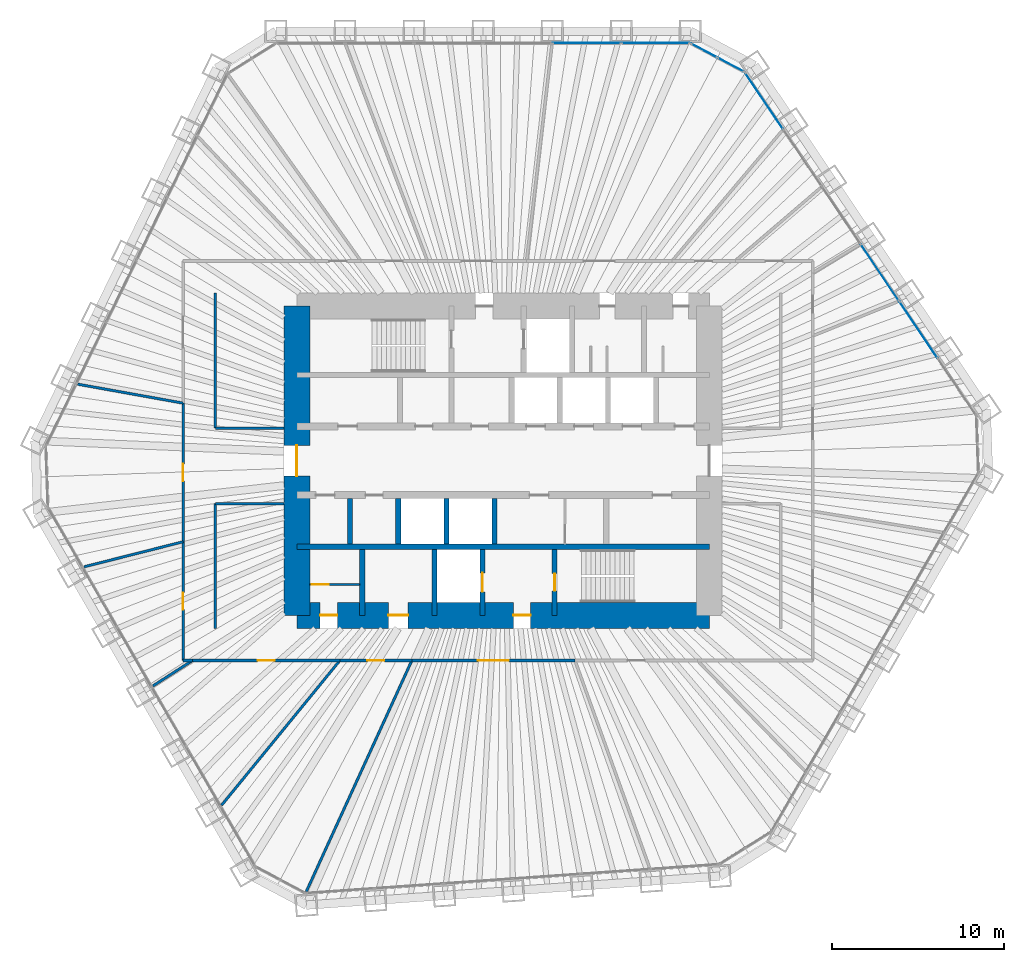
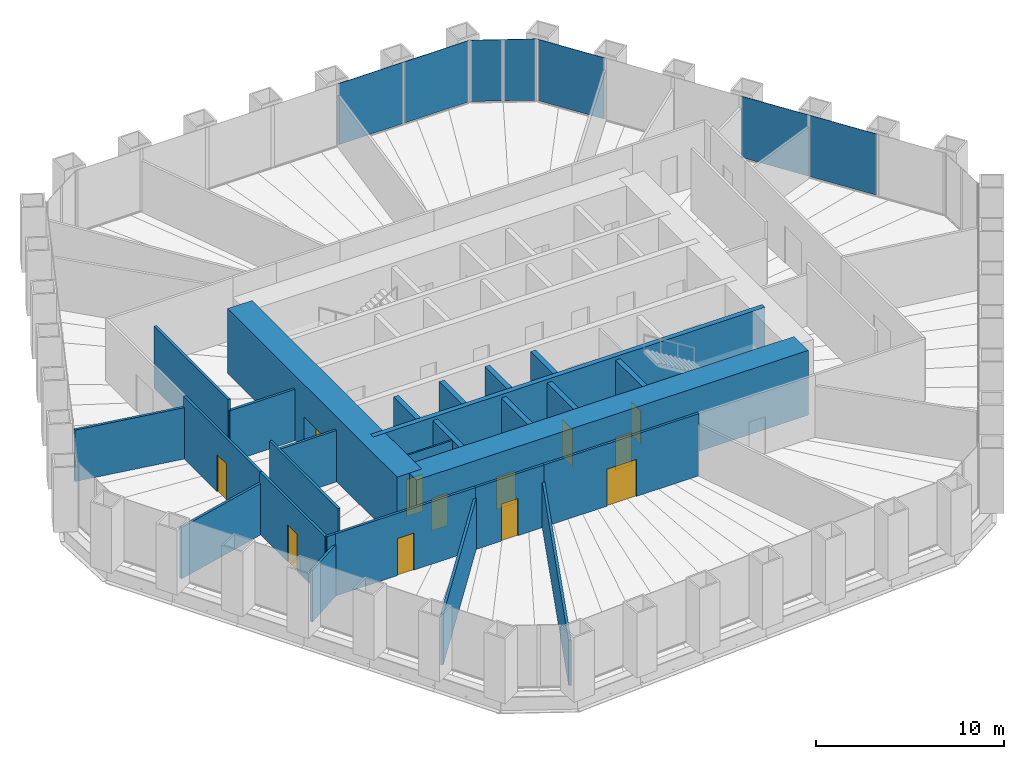
# One storey, part 10 of 13: 27 walls, 12 doors, 7 plates, 12 openings, 3 elements without a shape of their own.
"""IFC4 building model written with IfcOpenShell, lengths in metres."""

from ifc_helpers import new_model, si_unit, direction, frame, frame_2d, origin, origin_2d, place, context, subcontext, project, spatial, rectangle, extrude, material, layer, layer_set, type_object, element, fill, aggregate, save


model = new_model("IFC4")

# Units and contexts
model_context = context("Model", 3, precision=1e-05, world=origin(), true_north=direction((0.0, 1.0)))
body_context = subcontext(model_context, "Body", "Model", "MODEL_VIEW")
ifc_project = project(units=[si_unit("LENGTHUNIT", "METRE"), si_unit("AREAUNIT", "SQUARE_METRE"), si_unit("VOLUMEUNIT", "CUBIC_METRE"), si_unit("PLANEANGLEUNIT", "RADIAN"), si_unit("MASSUNIT", "GRAM", prefix="KILO")], contexts=[model_context])

# Site, building, storey
site_placement = place(None, origin())
site = spatial("IfcSite", under=ifc_project, at=site_placement, CompositionType="ELEMENT")
building_placement = place(site_placement, origin())
building = spatial("IfcBuilding", under=site, at=building_placement, Name="Qingtian Harvest Tower", CompositionType="ELEMENT")
storey_placement = place(building_placement, frame((0.0, 0.0, 153.39990234375)))
storey = spatial("IfcBuildingStorey", under=building, at=storey_placement, Name="L32", CompositionType="ELEMENT", Elevation=153.39990234375)

# Curtain wall, plates
ifc_material_1 = material(Name="Bronze-anodised aluminium curtain wall", Category="aluminium")
curtain_wall_type = type_object("IfcCurtainWallType", Name="Curtain wall CW4 office", PredefinedType="USERDEFINED", material=ifc_material_1)
curtain_wall_1_placement = place(storey_placement, origin())
curtain_wall_1 = element("IfcCurtainWall", 1, at=curtain_wall_1_placement, inside=storey, type_object=curtain_wall_type, Name="Curtain wall CW4 L32 N0-5", ObjectType="RECESSED CURTAIN WALL", PredefinedType="USERDEFINED")
ifc_material_2 = material(Name="Bronze-tinted laminated insulating glass", Category="glass")
ifc_layer_1 = layer(ifc_material_2, 0.030029296875)
ifc_layer_set_1 = layer_set([ifc_layer_1], Name="Glazed panel CWP tinted IGU")
plate_type = type_object("IfcPlateType", Name="Glazed panel CWP tinted IGU", PredefinedType="CURTAIN_PANEL", material=ifc_layer_set_1)
plate_1_placement = place(storey_placement, frame((4.864013671875, 24.300048828125, 0.06494140625), z_axis=(0.0, 0.0, 1.0), x_axis=(1.0, 0.0, 0.0)))
plate_1 = element("IfcPlate", 2, at=plate_1_placement, type_object=plate_type, Name="CW4 panel 5.1", PredefinedType="CURTAIN_PANEL", context=body_context, shape_type="SweptSolid", body=[
    extrude(rectangle(XDim=3.9541015625, YDim=0.030029296875, at=origin_2d()), origin(), (0.0, 0.0, 1.0), 3.965087890625),
])
plate_2_placement = place(storey_placement, frame((8.866943359375, 24.300048828125, 0.06494140625), z_axis=(0.0, 0.0, 1.0), x_axis=(1.0, 0.0, 0.0)))
plate_2 = element("IfcPlate", 3, at=plate_2_placement, type_object=plate_type, Name="CW4 panel 6.1", PredefinedType="CURTAIN_PANEL", context=body_context, shape_type="SweptSolid", body=[
    extrude(rectangle(XDim=3.921630859375, YDim=0.030029296875, at=origin_2d()), origin(), (0.0, 0.0, 1.0), 3.965087890625),
])
aggregate(curtain_wall_1, [plate_1, plate_2])

curtain_wall_2_placement = place(storey_placement, origin())
curtain_wall_2 = element("IfcCurtainWall", 4, at=curtain_wall_2_placement, inside=storey, type_object=curtain_wall_type, Name="Curtain wall CW4 L32 NC", ObjectType="RECESSED CURTAIN WALL", PredefinedType="USERDEFINED")
plate_3_placement = place(storey_placement, frame((11.697509765625, 23.8720703125, 0.06494140625), z_axis=(0.0, 0.0, 1.0), x_axis=(0.882947592859, -0.469471562786, 0.0)))
plate_3 = element("IfcPlate", 5, at=plate_3_placement, type_object=plate_type, Name="CW4 panel 1.1", PredefinedType="CURTAIN_PANEL", context=body_context, shape_type="SweptSolid", body=[
    extrude(rectangle(XDim=1.69287109375, YDim=0.030029296875, at=origin_2d()), origin(), (0.0, 0.0, 1.0), 3.965087890625),
])
plate_4_placement = place(storey_placement, frame((13.249755859375, 23.046875, 0.06494140625), z_axis=(0.0, 0.0, 1.0), x_axis=(0.882947592859, -0.469471562786, 0.0)))
plate_4 = element("IfcPlate", 6, at=plate_4_placement, type_object=plate_type, Name="CW4 panel 2.1", PredefinedType="CURTAIN_PANEL", context=body_context, shape_type="SweptSolid", body=[
    extrude(rectangle(XDim=1.69287109375, YDim=0.030029296875, at=origin_2d()), origin(), (0.0, 0.0, 1.0), 3.965087890625),
])
aggregate(curtain_wall_2, [plate_3, plate_4])

curtain_wall_3_placement = place(storey_placement, origin())
curtain_wall_3 = element("IfcCurtainWall", 7, at=curtain_wall_3_placement, inside=storey, type_object=curtain_wall_type, Name="Curtain wall CW4 L32 NE0-5", ObjectType="RECESSED CURTAIN WALL", PredefinedType="USERDEFINED")
plate_5_placement = place(storey_placement, frame((15.187255859375, 20.939453125, 0.06494140625), z_axis=(0.0, 0.0, 1.0), x_axis=(0.559192903471, -0.829037572555, 0.0)))
plate_5 = element("IfcPlate", 8, at=plate_5_placement, type_object=plate_type, Name="CW4 panel 1.1", PredefinedType="CURTAIN_PANEL", context=body_context, shape_type="SweptSolid", body=[
    extrude(rectangle(XDim=3.921630859375, YDim=0.030029296875, at=origin_2d()), origin(), (0.0, 0.0, 1.0), 3.965087890625),
])
plate_6_placement = place(storey_placement, frame((21.92041015625, 10.95703125, 0.06494140625), z_axis=(0.0, 0.0, 1.0), x_axis=(0.559192903471, -0.829037572555, 0.0)))
plate_6 = element("IfcPlate", 9, at=plate_6_placement, type_object=plate_type, Name="CW4 panel 4.1", PredefinedType="CURTAIN_PANEL", context=body_context, shape_type="SweptSolid", body=[
    extrude(rectangle(XDim=3.9541015625, YDim=0.030029296875, at=origin_2d()), origin(), (0.0, 0.0, 1.0), 3.965087890625),
])
plate_7_placement = place(storey_placement, frame((24.16796875, 7.625, 0.06494140625), z_axis=(0.0, 0.0, 1.0), x_axis=(0.559192903471, -0.829037572555, 0.0)))
plate_7 = element("IfcPlate", 10, at=plate_7_placement, type_object=plate_type, Name="CW4 panel 5.1", PredefinedType="CURTAIN_PANEL", context=body_context, shape_type="SweptSolid", body=[
    extrude(rectangle(XDim=3.9541015625, YDim=0.030029296875, at=origin_2d()), origin(), (0.0, 0.0, 1.0), 3.965087890625),
])
aggregate(curtain_wall_3, [plate_5, plate_6, plate_7])

# Walls
ifc_material_3 = material(Name="Concrete fc' 70 MPa", Category="concrete")
ifc_layer_2 = layer(ifc_material_3, 0.300048828125)
ifc_layer_set_2 = layer_set([ifc_layer_2], Name="Core inner wall RC5 300")
wall_type_1 = type_object("IfcWallType", Name="Core inner wall RC5 300", PredefinedType="SHEAR", material=ifc_layer_set_2)
wall_1_placement = place(storey_placement, frame((-12.0, -5.0, 0.0), z_axis=(0.0, 0.0, 1.0), x_axis=(1.0, 0.0, 0.0)))
element("IfcWall", 11, at=wall_1_placement, inside=storey, type_object=wall_type_1, Name="Core wall IS5 L32", PredefinedType="SHEAR", context=body_context, shape_type="SweptSolid", body=[
    extrude(rectangle(XDim=24.0, YDim=0.300048828125, at=frame_2d((12.0, 0.0))), origin(), (0.0, 0.0, 1.0), 4.2001953125),
])
ifc_material_4 = material(Name="Precast concrete shaft panel", Category="concrete")
ifc_layer_3 = layer(ifc_material_4, 0.300048828125)
ifc_layer_set_3 = layer_set([ifc_layer_3], Name="Core shaft partition SW1 300")
wall_type_2 = type_object("IfcWallType", Name="Core shaft partition SW1 300", PredefinedType="PARTITIONING", material=ifc_layer_set_3)
for number, where, z_axis, x_axis, name in (
    (12, (-8.89990234375, -4.85009765625, 0.0), (0.0, 0.0, 1.0), (0.0, 1.0, 0.0), "Core shaft partition XB1 L32"),
    (13, (-6.10009765625, -4.85009765625, 0.0), (0.0, 0.0, 1.0), (0.0, 1.0, 0.0), "Core shaft partition XB2 L32"),
    (14, (-3.300048828125, -4.85009765625, 0.0), (0.0, 0.0, 1.0), (0.0, 1.0, 0.0), "Core shaft partition XB3 L32"),
    (15, (-0.5, -4.85009765625, 0.0), (0.0, 0.0, 1.0), (0.0, 1.0, 0.0), "Core shaft partition XB4 L32"),
):
    element("IfcWall", number, at=place(storey_placement, frame(where, z_axis=z_axis, x_axis=x_axis)), inside=storey, type_object=wall_type_2, Name=name, PredefinedType="PARTITIONING", context=body_context, shape_type="SweptSolid", body=[
        extrude(rectangle(XDim=2.650146484375, YDim=0.300048828125, at=frame_2d((1.3251953125, 0.0))), origin(), (0.0, 0.0, 1.0), 3.97998046875),
    ])
for number, where, z_axis, x_axis, name in (
    (16, (-8.199951171875, -9.0, 0.0), (0.0, 0.0, 1.0), (0.0, 1.0, 0.0), "Core shaft partition XS1 L32"),
    (17, (-4.0, -9.0, 0.0), (0.0, 0.0, 1.0), (0.0, 1.0, 0.0), "Core shaft partition XS2 L32"),
):
    element("IfcWall", number, at=place(storey_placement, frame(where, z_axis=z_axis, x_axis=x_axis)), inside=storey, type_object=wall_type_2, Name=name, PredefinedType="PARTITIONING", context=body_context, shape_type="SweptSolid", body=[
        extrude(rectangle(XDim=3.85009765625, YDim=0.300048828125, at=frame_2d((1.925048828125, 0.0))), origin(), (0.0, 0.0, 1.0), 3.97998046875),
    ])

# Wall, opening, door
wall_2_placement = place(storey_placement, frame((-1.199951171875, -9.0, 0.0), z_axis=(0.0, 0.0, 1.0), x_axis=(0.0, 1.0, 0.0)))
wall_2 = element("IfcWall", 18, at=wall_2_placement, inside=storey, type_object=wall_type_2, Name="Core shaft partition XS3 L32", PredefinedType="PARTITIONING", context=body_context, shape_type="SweptSolid", body=[
    extrude(rectangle(XDim=3.85009765625, YDim=0.300048828125, at=frame_2d((1.925048828125, 0.0))), origin(), (0.0, 0.0, 1.0), 3.97998046875),
])
opening_1_placement = place(wall_2_placement, frame((1.375, 0.0, 0.0)))
opening_1 = element("IfcOpeningElement", 19, at=opening_1_placement, cuts=wall_2, Name="Opening LD1", PredefinedType="OPENING", context=body_context, shape_type="SweptSolid", body=[
    extrude(rectangle(XDim=1.10009765625, YDim=2.39990234375, at=frame_2d((0.550048828125, 1.199951171875))), frame((0.0, 0.159912109375, 0.0), z_axis=(0.0, -1.0, 0.0), x_axis=(1.0, 0.0, 0.0)), (0.0, 0.0, 1.0), 0.320068359375),
])
ifc_material_5 = material(Name="Stainless steel lift landing door", Category="steel")
door_type_1 = type_object("IfcDoorType", Name="Lift landing door LD1 1 HR", OperationType="DOUBLE_DOOR_SLIDING", PredefinedType="DOOR", material=ifc_material_5)
door_1_placement = place(opening_1_placement, origin())
door_1 = element("IfcDoor", 20, at=door_1_placement, inside=storey, type_object=door_type_1, Name="FL2 landing door L32", OperationType="DOUBLE_DOOR_SLIDING", OverallHeight=2.39990234375, OverallWidth=1.10009765625, PredefinedType="DOOR", context=body_context, shape_type="SweptSolid", body=[
    extrude(rectangle(XDim=1.10009765625, YDim=2.39990234375, at=frame_2d((0.550048828125, 1.199951171875))), frame((0.0, 0.02490234375, 0.0), z_axis=(0.0, -1.0, 0.0), x_axis=(1.0, 0.0, 0.0)), (0.0, 0.0, 1.0), 0.050048828125),
])
fill(opening_1, door_1)

wall_3_placement = place(storey_placement, frame((3.0, -9.0, 0.0), z_axis=(0.0, 0.0, 1.0), x_axis=(0.0, 1.0, 0.0)))
wall_3 = element("IfcWall", 21, at=wall_3_placement, inside=storey, type_object=wall_type_2, Name="Core shaft partition XS4 L32", PredefinedType="PARTITIONING", context=body_context, shape_type="SweptSolid", body=[
    extrude(rectangle(XDim=3.85009765625, YDim=0.300048828125, at=frame_2d((1.925048828125, 0.0))), origin(), (0.0, 0.0, 1.0), 3.97998046875),
])
opening_2_placement = place(wall_3_placement, frame((1.425048828125, 0.0, 0.0)))
opening_2 = element("IfcOpeningElement", 22, at=opening_2_placement, cuts=wall_3, Name="Opening FD1", PredefinedType="OPENING", context=body_context, shape_type="SweptSolid", body=[
    extrude(rectangle(XDim=1.0, YDim=2.10009765625, at=frame_2d((0.5, 1.050048828125))), frame((0.0, 0.159912109375, 0.0), z_axis=(0.0, -1.0, 0.0), x_axis=(1.0, 0.0, 0.0)), (0.0, 0.0, 1.0), 0.320068359375),
])
ifc_material_6 = material(Name="Steel-faced door leaf", Category="steel")
door_type_2 = type_object("IfcDoorType", Name="Fire door FD1 single 1 HR", OperationType="SINGLE_SWING_LEFT", PredefinedType="DOOR", material=ifc_material_6)
door_2_placement = place(opening_2_placement, origin())
door_2 = element("IfcDoor", 23, at=door_2_placement, inside=storey, type_object=door_type_2, Name="S2 door L32", OperationType="SINGLE_SWING_LEFT", OverallHeight=2.10009765625, OverallWidth=1.0, PredefinedType="DOOR", context=body_context, shape_type="SweptSolid", body=[
    extrude(rectangle(XDim=1.0, YDim=2.10009765625, at=frame_2d((0.5, 1.050048828125))), frame((0.0, 0.02490234375, 0.0), z_axis=(0.0, -1.0, 0.0), x_axis=(1.0, 0.0, 0.0)), (0.0, 0.0, 1.0), 0.050048828125),
])
fill(opening_2, door_2)

# Wall, openings, doors
ifc_material_7 = material(Name="Concrete fc' 70 MPa", Category="concrete")
ifc_layer_4 = layer(ifc_material_7, 1.5)
ifc_layer_set_4 = layer_set([ifc_layer_4], Name="Core wall RC1 1500")
wall_type_3 = type_object("IfcWallType", Name="Core wall RC1 1500", PredefinedType="SHEAR", material=ifc_layer_set_4)
wall_4_placement = place(storey_placement, frame((-12.0, -9.0, 0.0), z_axis=(0.0, 0.0, 1.0), x_axis=(1.0, 0.0, 0.0)))
wall_4 = element("IfcWall", 24, at=wall_4_placement, inside=storey, type_object=wall_type_3, Name="Core wall CS L32", PredefinedType="SHEAR", context=body_context, shape_type="SweptSolid", body=[
    extrude(rectangle(XDim=24.0, YDim=1.5, at=frame_2d((12.0, 0.0))), origin(), (0.0, 0.0, 1.0), 4.2001953125),
])
opening_3_placement = place(wall_4_placement, frame((1.35009765625, 0.0, 0.0)))
opening_3 = element("IfcOpeningElement", 25, at=opening_3_placement, cuts=wall_4, Name="Opening FD1", PredefinedType="OPENING", context=body_context, shape_type="SweptSolid", body=[
    extrude(rectangle(XDim=1.0, YDim=2.10009765625, at=frame_2d((0.5, 1.050048828125))), frame((0.0, 0.760009765625, 0.0), z_axis=(0.0, -1.0, 0.0), x_axis=(1.0, 0.0, 0.0)), (0.0, 0.0, 1.0), 1.52001953125),
])
opening_4_placement = place(wall_4_placement, frame((5.324951171875, 0.0, 0.0)))
opening_4 = element("IfcOpeningElement", 26, at=opening_4_placement, cuts=wall_4, Name="Opening AD1", PredefinedType="OPENING", context=body_context, shape_type="SweptSolid", body=[
    extrude(rectangle(XDim=1.14990234375, YDim=2.10009765625, at=frame_2d((0.574951171875, 1.050048828125))), frame((0.0, 0.760009765625, 0.0), z_axis=(0.0, -1.0, 0.0), x_axis=(1.0, 0.0, 0.0)), (0.0, 0.0, 1.0), 1.52001953125),
])
opening_5_placement = place(wall_4_placement, frame((12.60009765625, 0.0, 0.0)))
opening_5 = element("IfcOpeningElement", 27, at=opening_5_placement, cuts=wall_4, Name="Opening FD1", PredefinedType="OPENING", context=body_context, shape_type="SweptSolid", body=[
    extrude(rectangle(XDim=1.0, YDim=2.10009765625, at=frame_2d((0.5, 1.050048828125))), frame((0.0, 0.760009765625, 0.0), z_axis=(0.0, -1.0, 0.0), x_axis=(1.0, 0.0, 0.0)), (0.0, 0.0, 1.0), 1.52001953125),
])
ifc_material_8 = material(Name="Laminated timber door leaf", Category="wood")
door_type_3 = type_object("IfcDoorType", Name="Accessible WC door AD1 single", OperationType="SINGLE_SWING_LEFT", PredefinedType="DOOR", material=ifc_material_8)
door_3_placement = place(opening_4_placement, origin())
door_3 = element("IfcDoor", 28, at=door_3_placement, inside=storey, type_object=door_type_3, Name="AWC door L32", OperationType="SINGLE_SWING_LEFT", OverallHeight=2.10009765625, OverallWidth=1.14990234375, PredefinedType="DOOR", context=body_context, shape_type="SweptSolid", body=[
    extrude(rectangle(XDim=1.14990234375, YDim=2.10009765625, at=frame_2d((0.574951171875, 1.050048828125))), frame((0.0, 0.02490234375, 0.0), z_axis=(0.0, -1.0, 0.0), x_axis=(1.0, 0.0, 0.0)), (0.0, 0.0, 1.0), 0.050048828125),
])
fill(opening_4, door_3)
door_4_placement = place(opening_3_placement, origin())
door_4 = element("IfcDoor", 29, at=door_4_placement, inside=storey, type_object=door_type_2, Name="CLN door L32", OperationType="SINGLE_SWING_RIGHT", OverallHeight=2.10009765625, OverallWidth=1.0, PredefinedType="DOOR", context=body_context, shape_type="SweptSolid", body=[
    extrude(rectangle(XDim=1.0, YDim=2.10009765625, at=frame_2d((0.5, 1.050048828125))), frame((0.0, 0.02490234375, 0.0), z_axis=(0.0, -1.0, 0.0), x_axis=(1.0, 0.0, 0.0)), (0.0, 0.0, 1.0), 0.050048828125),
])
fill(opening_3, door_4)
door_5_placement = place(opening_5_placement, origin())
door_5 = element("IfcDoor", 30, at=door_5_placement, inside=storey, type_object=door_type_2, Name="V2 door L32", OperationType="SINGLE_SWING_LEFT", OverallHeight=2.10009765625, OverallWidth=1.0, PredefinedType="DOOR", context=body_context, shape_type="SweptSolid", body=[
    extrude(rectangle(XDim=1.0, YDim=2.10009765625, at=frame_2d((0.5, 1.050048828125))), frame((0.0, 0.02490234375, 0.0), z_axis=(0.0, -1.0, 0.0), x_axis=(1.0, 0.0, 0.0)), (0.0, 0.0, 1.0), 0.050048828125),
])
fill(opening_5, door_5)

# Wall, opening, door
wall_5_placement = place(storey_placement, frame((-12.0, -9.0, 0.0), z_axis=(0.0, 0.0, 1.0), x_axis=(0.0, 1.0, 0.0)))
wall_5 = element("IfcWall", 31, at=wall_5_placement, inside=storey, type_object=wall_type_3, Name="Core wall CW L32", PredefinedType="SHEAR", context=body_context, shape_type="SweptSolid", body=[
    extrude(rectangle(XDim=18.0, YDim=1.5, at=frame_2d((9.0, 0.0))), origin(), (0.0, 0.0, 1.0), 4.2001953125),
])
opening_6_placement = place(wall_5_placement, frame((8.10009765625, 0.0, 0.0)))
opening_6 = element("IfcOpeningElement", 32, at=opening_6_placement, cuts=wall_5, Name="Opening FD2", PredefinedType="OPENING", context=body_context, shape_type="SweptSolid", body=[
    extrude(rectangle(XDim=1.800048828125, YDim=2.10009765625, at=frame_2d((0.89990234375, 1.050048828125))), frame((0.0, 0.760009765625, 0.0), z_axis=(0.0, -1.0, 0.0), x_axis=(1.0, 0.0, 0.0)), (0.0, 0.0, 1.0), 1.52001953125),
])
ifc_material_9 = material(Name="Steel-faced door leaf", Category="steel")
door_type_4 = type_object("IfcDoorType", Name="Fire door FD2 double 1 HR", OperationType="DOUBLE_DOOR_DOUBLE_SWING", PredefinedType="DOOR", material=ifc_material_9)
door_6_placement = place(opening_6_placement, origin())
door_6 = element("IfcDoor", 33, at=door_6_placement, inside=storey, type_object=door_type_4, Name="LOBBY-W door L32", OperationType="DOUBLE_DOOR_DOUBLE_SWING", OverallHeight=2.10009765625, OverallWidth=1.800048828125, PredefinedType="DOOR", context=body_context, shape_type="SweptSolid", body=[
    extrude(rectangle(XDim=1.800048828125, YDim=2.10009765625, at=frame_2d((0.89990234375, 1.050048828125))), frame((0.0, 0.02490234375, 0.0), z_axis=(0.0, -1.0, 0.0), x_axis=(1.0, 0.0, 0.0)), (0.0, 0.0, 1.0), 0.050048828125),
])
fill(opening_6, door_6)

ifc_material_10 = material(Name="Gypsum board on steel studs", Category="steel")
ifc_layer_5 = layer(ifc_material_10, 0.14990234375)
ifc_layer_set_5 = layer_set([ifc_layer_5], Name="Partition PT1 150")
wall_type_4 = type_object("IfcWallType", Name="Partition PT1 150", PredefinedType="PARTITIONING", material=ifc_layer_set_5)
wall_6_placement = place(storey_placement, frame((4.18408203125, -11.625, 0.0), z_axis=(0.0, 0.0, 1.0), x_axis=(-1.0, 0.0, 0.0)))
wall_6 = element("IfcWall", 34, at=wall_6_placement, inside=storey, type_object=wall_type_4, Name="Workplace zone wall L32", PredefinedType="PARTITIONING", context=body_context, shape_type="SweptSolid", body=[
    extrude(rectangle(XDim=9.494384765625, YDim=0.14990234375, at=frame_2d((4.7470703125, 0.0))), origin(), (0.0, 0.0, 1.0), 4.030029296875),
])
opening_7_placement = place(wall_6_placement, frame((3.84716796875, 0.0, 0.0)))
opening_7 = element("IfcOpeningElement", 35, at=opening_7_placement, cuts=wall_6, Name="Opening D3", PredefinedType="OPENING", context=body_context, shape_type="SweptSolid", body=[
    extrude(rectangle(XDim=1.800048828125, YDim=2.39990234375, at=frame_2d((0.89990234375, 1.199951171875))), frame((0.0, 0.0849609375, 0.0), z_axis=(0.0, -1.0, 0.0), x_axis=(1.0, 0.0, 0.0)), (0.0, 0.0, 1.0), 0.169921875),
])
ifc_material_11 = material(Name="Laminated timber door leaf", Category="wood")
door_type_5 = type_object("IfcDoorType", Name="Room door D3 double", OperationType="DOUBLE_DOOR_DOUBLE_SWING", PredefinedType="DOOR", material=ifc_material_11)
door_7_placement = place(opening_7_placement, origin())
door_7 = element("IfcDoor", 36, at=door_7_placement, inside=storey, type_object=door_type_5, Name="Workplace zone door L32", OperationType="DOUBLE_DOOR_DOUBLE_SWING", OverallHeight=2.39990234375, OverallWidth=1.800048828125, PredefinedType="DOOR", context=body_context, shape_type="SweptSolid", body=[
    extrude(rectangle(XDim=1.800048828125, YDim=2.39990234375, at=frame_2d((0.89990234375, 1.199951171875))), frame((0.0, 0.02490234375, 0.0), z_axis=(0.0, -1.0, 0.0), x_axis=(1.0, 0.0, 0.0)), (0.0, 0.0, 1.0), 0.050048828125),
])
fill(opening_7, door_7)

# Wall
wall_7_placement = place(storey_placement, frame((-11.452880859375, -25.072265625, 0.0), z_axis=(0.0, 0.0, 1.0), x_axis=(0.415494357555, 0.909595755729, 0.0)))
element("IfcWall", 37, at=wall_7_placement, inside=storey, type_object=wall_type_4, Name="Store room wall L32", PredefinedType="PARTITIONING", context=body_context, shape_type="SweptSolid", body=[
    extrude(rectangle(XDim=14.78369140625, YDim=0.14990234375, at=frame_2d((7.391845703125, 0.0))), origin(), (0.0, 0.0, 1.0), 2.93017578125),
])

# Wall, opening, door
wall_8_placement = place(storey_placement, frame((-5.310302734375, -11.625, 0.0), z_axis=(0.0, 0.0, 1.0), x_axis=(-1.0, 0.0, 0.0)))
wall_8 = element("IfcWall", 38, at=wall_8_placement, inside=storey, type_object=wall_type_4, Name="Store room wall L32", PredefinedType="PARTITIONING", context=body_context, shape_type="SweptSolid", body=[
    extrude(rectangle(XDim=4.1904296875, YDim=0.14990234375, at=frame_2d((2.09521484375, 0.0))), origin(), (0.0, 0.0, 1.0), 4.030029296875),
])
opening_8_placement = place(wall_8_placement, frame((1.59521484375, 0.0, 0.0)))
opening_8 = element("IfcOpeningElement", 39, at=opening_8_placement, cuts=wall_8, Name="Opening D2", PredefinedType="OPENING", context=body_context, shape_type="SweptSolid", body=[
    extrude(rectangle(XDim=1.0, YDim=2.39990234375, at=frame_2d((0.5, 1.199951171875))), frame((0.0, 0.0849609375, 0.0), z_axis=(0.0, -1.0, 0.0), x_axis=(1.0, 0.0, 0.0)), (0.0, 0.0, 1.0), 0.169921875),
])
ifc_material_12 = material(Name="Laminated timber door leaf", Category="wood")
door_type_6 = type_object("IfcDoorType", Name="Room door D2 single", OperationType="SINGLE_SWING_LEFT", PredefinedType="DOOR", material=ifc_material_12)
door_8_placement = place(opening_8_placement, origin())
door_8 = element("IfcDoor", 40, at=door_8_placement, inside=storey, type_object=door_type_6, Name="Store room door L32", OperationType="SINGLE_SWING_LEFT", OverallHeight=2.39990234375, OverallWidth=1.0, PredefinedType="DOOR", context=body_context, shape_type="SweptSolid", body=[
    extrude(rectangle(XDim=1.0, YDim=2.39990234375, at=frame_2d((0.5, 1.199951171875))), frame((0.0, 0.02490234375, 0.0), z_axis=(0.0, -1.0, 0.0), x_axis=(1.0, 0.0, 0.0)), (0.0, 0.0, 1.0), 0.050048828125),
])
fill(opening_8, door_8)

# Wall
wall_9_placement = place(storey_placement, frame((-16.3798828125, -20.042236328125, 0.0), z_axis=(0.0, 0.0, 1.0), x_axis=(0.632814540967, 0.774303400962, 0.0)))
element("IfcWall", 41, at=wall_9_placement, inside=storey, type_object=wall_type_4, Name="Pantry wall L32", PredefinedType="PARTITIONING", context=body_context, shape_type="SweptSolid", body=[
    extrude(rectangle(XDim=10.87060546875, YDim=0.14990234375, at=frame_2d((5.435302734375, 0.0))), origin(), (0.0, 0.0, 1.0), 3.330078125),
])

# Wall, opening, door
wall_10_placement = place(storey_placement, frame((-9.500732421875, -11.625, 0.0), z_axis=(0.0, 0.0, 1.0), x_axis=(-1.0, 0.0, 0.0)))
wall_10 = element("IfcWall", 42, at=wall_10_placement, inside=storey, type_object=wall_type_4, Name="Pantry wall L32", PredefinedType="PARTITIONING", context=body_context, shape_type="SweptSolid", body=[
    extrude(rectangle(XDim=8.57666015625, YDim=0.14990234375, at=frame_2d((4.288330078125, 0.0))), origin(), (0.0, 0.0, 1.0), 4.030029296875),
])
opening_9_placement = place(wall_10_placement, frame((3.788330078125, 0.0, 0.0)))
opening_9 = element("IfcOpeningElement", 43, at=opening_9_placement, cuts=wall_10, Name="Opening D2", PredefinedType="OPENING", context=body_context, shape_type="SweptSolid", body=[
    extrude(rectangle(XDim=1.0, YDim=2.39990234375, at=frame_2d((0.5, 1.199951171875))), frame((0.0, 0.0849609375, 0.0), z_axis=(0.0, -1.0, 0.0), x_axis=(1.0, 0.0, 0.0)), (0.0, 0.0, 1.0), 0.169921875),
])
door_9_placement = place(opening_9_placement, origin())
door_9 = element("IfcDoor", 44, at=door_9_placement, inside=storey, type_object=door_type_6, Name="Pantry door L32", OperationType="SINGLE_SWING_LEFT", OverallHeight=2.39990234375, OverallWidth=1.0, PredefinedType="DOOR", context=body_context, shape_type="SweptSolid", body=[
    extrude(rectangle(XDim=1.0, YDim=2.39990234375, at=frame_2d((0.5, 1.199951171875))), frame((0.0, 0.02490234375, 0.0), z_axis=(0.0, -1.0, 0.0), x_axis=(1.0, 0.0, 0.0)), (0.0, 0.0, 1.0), 0.050048828125),
])
fill(opening_9, door_9)

# Walls
wall_11_placement = place(storey_placement, frame((-20.378173828125, -13.1044921875, 0.0), z_axis=(0.0, 0.0, 1.0), x_axis=(0.841108871346, 0.540865848934, 0.0)))
element("IfcWall", 45, at=wall_11_placement, inside=storey, type_object=wall_type_4, Name="Print room wall L32", PredefinedType="PARTITIONING", context=body_context, shape_type="SweptSolid", body=[
    extrude(rectangle(XDim=2.7353515625, YDim=0.14990234375, at=frame_2d((1.36767578125, 0.0))), origin(), (0.0, 0.0, 1.0), 3.330078125),
])
wall_12_placement = place(storey_placement, frame((-18.077392578125, -11.625, 0.0), z_axis=(0.0, 0.0, 1.0), x_axis=(-1.0, 0.0, 0.0)))
element("IfcWall", 46, at=wall_12_placement, inside=storey, type_object=wall_type_4, Name="Print room wall L32", PredefinedType="PARTITIONING", context=body_context, shape_type="SweptSolid", body=[
    extrude(rectangle(XDim=0.547607421875, YDim=0.14990234375, at=frame_2d((0.27392578125, 0.0))), origin(), (0.0, 0.0, 1.0), 4.030029296875),
])

# Wall, opening, door
wall_13_placement = place(storey_placement, frame((-18.625, -11.625, 0.0), z_axis=(0.0, 0.0, 1.0), x_axis=(0.0, 1.0, 0.0)))
wall_13 = element("IfcWall", 47, at=wall_13_placement, inside=storey, type_object=wall_type_4, Name="Print room wall L32", PredefinedType="PARTITIONING", context=body_context, shape_type="SweptSolid", body=[
    extrude(rectangle(XDim=6.91015625, YDim=0.14990234375, at=frame_2d((3.455078125, 0.0))), origin(), (0.0, 0.0, 1.0), 4.030029296875),
])
opening_10_placement = place(wall_13_placement, frame((2.955078125, 0.0, 0.0)))
opening_10 = element("IfcOpeningElement", 48, at=opening_10_placement, cuts=wall_13, Name="Opening D2", PredefinedType="OPENING", context=body_context, shape_type="SweptSolid", body=[
    extrude(rectangle(XDim=1.0, YDim=2.39990234375, at=frame_2d((0.5, 1.199951171875))), frame((0.0, 0.0849609375, 0.0), z_axis=(0.0, -1.0, 0.0), x_axis=(1.0, 0.0, 0.0)), (0.0, 0.0, 1.0), 0.169921875),
])
door_10_placement = place(opening_10_placement, origin())
door_10 = element("IfcDoor", 49, at=door_10_placement, inside=storey, type_object=door_type_6, Name="Print room door L32", OperationType="SINGLE_SWING_LEFT", OverallHeight=2.39990234375, OverallWidth=1.0, PredefinedType="DOOR", context=body_context, shape_type="SweptSolid", body=[
    extrude(rectangle(XDim=1.0, YDim=2.39990234375, at=frame_2d((0.5, 1.199951171875))), frame((0.0, 0.02490234375, 0.0), z_axis=(0.0, -1.0, 0.0), x_axis=(1.0, 0.0, 0.0)), (0.0, 0.0, 1.0), 0.050048828125),
])
fill(opening_10, door_10)

# Wall
wall_14_placement = place(storey_placement, frame((-24.38427734375, -6.172607421875, 0.0), z_axis=(0.0, 0.0, 1.0), x_axis=(0.969427635767, 0.245377380804, 0.0)))
element("IfcWall", 50, at=wall_14_placement, inside=storey, type_object=wall_type_4, Name="Quiet room wall L32", PredefinedType="PARTITIONING", context=body_context, shape_type="SweptSolid", body=[
    extrude(rectangle(XDim=5.94091796875, YDim=0.14990234375, at=frame_2d((2.970458984375, 0.0))), origin(), (0.0, 0.0, 1.0), 3.330078125),
])

# Wall, opening, door
wall_15_placement = place(storey_placement, frame((-18.625, -4.71484375, 0.0), z_axis=(0.0, 0.0, 1.0), x_axis=(0.0, 1.0, 0.0)))
wall_15 = element("IfcWall", 51, at=wall_15_placement, inside=storey, type_object=wall_type_4, Name="Quiet room wall L32", PredefinedType="PARTITIONING", context=body_context, shape_type="SweptSolid", body=[
    extrude(rectangle(XDim=8.06787109375, YDim=0.14990234375, at=frame_2d((4.033935546875, 0.0))), origin(), (0.0, 0.0, 1.0), 4.030029296875),
])
opening_11_placement = place(wall_15_placement, frame((3.533935546875, 0.0, 0.0)))
opening_11 = element("IfcOpeningElement", 52, at=opening_11_placement, cuts=wall_15, Name="Opening D2", PredefinedType="OPENING", context=body_context, shape_type="SweptSolid", body=[
    extrude(rectangle(XDim=1.0, YDim=2.39990234375, at=frame_2d((0.5, 1.199951171875))), frame((0.0, 0.0849609375, 0.0), z_axis=(0.0, -1.0, 0.0), x_axis=(1.0, 0.0, 0.0)), (0.0, 0.0, 1.0), 0.169921875),
])
door_11_placement = place(opening_11_placement, origin())
door_11 = element("IfcDoor", 53, at=door_11_placement, inside=storey, type_object=door_type_6, Name="Quiet room door L32", OperationType="SINGLE_SWING_LEFT", OverallHeight=2.39990234375, OverallWidth=1.0, PredefinedType="DOOR", context=body_context, shape_type="SweptSolid", body=[
    extrude(rectangle(XDim=1.0, YDim=2.39990234375, at=frame_2d((0.5, 1.199951171875))), frame((0.0, 0.02490234375, 0.0), z_axis=(0.0, -1.0, 0.0), x_axis=(1.0, 0.0, 0.0)), (0.0, 0.0, 1.0), 0.050048828125),
])
fill(opening_11, door_11)

# Walls
wall_16_placement = place(storey_placement, frame((-24.75537109375, 4.456787109375, 0.0), z_axis=(0.0, 0.0, 1.0), x_axis=(0.984175122587, -0.177198555524, 0.0)))
element("IfcWall", 54, at=wall_16_placement, inside=storey, type_object=wall_type_4, Name="Workplace zone wall L32", PredefinedType="PARTITIONING", context=body_context, shape_type="SweptSolid", body=[
    extrude(rectangle(XDim=6.22900390625, YDim=0.14990234375, at=frame_2d((3.114501953125, 0.0))), origin(), (0.0, 0.0, 1.0), 3.330078125),
])
wall_17_placement = place(storey_placement, frame((-16.75, 1.89990234375, 0.0), z_axis=(0.0, 0.0, 1.0), x_axis=(0.0, 1.0, 0.0)))
element("IfcWall", 55, at=wall_17_placement, inside=storey, type_object=wall_type_4, Name="Reading area wall L32", PredefinedType="PARTITIONING", context=body_context, shape_type="SweptSolid", body=[
    extrude(rectangle(XDim=7.85009765625, YDim=0.14990234375, at=frame_2d((3.925048828125, 0.0))), origin(), (0.0, 0.0, 1.0), 4.030029296875),
])
wall_18_placement = place(storey_placement, frame((-12.75, 1.89990234375, 0.0), z_axis=(0.0, 0.0, 1.0), x_axis=(-1.0, 0.0, 0.0)))
element("IfcWall", 56, at=wall_18_placement, inside=storey, type_object=wall_type_4, Name="Reading area wall L32", PredefinedType="PARTITIONING", context=body_context, shape_type="SweptSolid", body=[
    extrude(rectangle(XDim=4.0, YDim=0.14990234375, at=frame_2d((2.0, 0.0))), origin(), (0.0, 0.0, 1.0), 3.330078125),
])
wall_19_placement = place(storey_placement, frame((-16.75, -9.75, 0.0), z_axis=(0.0, 0.0, 1.0), x_axis=(0.0, 1.0, 0.0)))
element("IfcWall", 57, at=wall_19_placement, inside=storey, type_object=wall_type_4, Name="Coffee point wall L32", PredefinedType="PARTITIONING", context=body_context, shape_type="SweptSolid", body=[
    extrude(rectangle(XDim=7.25, YDim=0.14990234375, at=frame_2d((3.625, 0.0))), origin(), (0.0, 0.0, 1.0), 4.030029296875),
])
wall_20_placement = place(storey_placement, frame((-12.75, -2.5, 0.0), z_axis=(0.0, 0.0, 1.0), x_axis=(-1.0, 0.0, 0.0)))
element("IfcWall", 58, at=wall_20_placement, inside=storey, type_object=wall_type_4, Name="Coffee point wall L32", PredefinedType="PARTITIONING", context=body_context, shape_type="SweptSolid", body=[
    extrude(rectangle(XDim=4.0, YDim=0.14990234375, at=frame_2d((2.0, 0.0))), origin(), (0.0, 0.0, 1.0), 3.330078125),
])

# Wall, opening, door
ifc_material_13 = material(Name="Concrete block partition", Category="concrete")
ifc_layer_6 = layer(ifc_material_13, 0.10009765625)
ifc_layer_set_6 = layer_set([ifc_layer_6], Name="Store partition PT3 100")
wall_type_5 = type_object("IfcWallType", Name="Store partition PT3 100", PredefinedType="PARTITIONING", material=ifc_layer_set_6)
wall_21_placement = place(storey_placement, frame((-11.25, -7.199951171875, 0.0), z_axis=(0.0, 0.0, 1.0), x_axis=(1.0, 0.0, 0.0)))
wall_21 = element("IfcWall", 59, at=wall_21_placement, inside=storey, type_object=wall_type_5, Name="Waste store wall L32", PredefinedType="PARTITIONING", context=body_context, shape_type="SweptSolid", body=[
    extrude(rectangle(XDim=2.89990234375, YDim=0.10009765625, at=frame_2d((1.449951171875, 0.0))), origin(), (0.0, 0.0, 1.0), 3.97998046875),
])
opening_12_placement = place(wall_21_placement, frame((0.10009765625, 0.0, 0.0)))
opening_12 = element("IfcOpeningElement", 60, at=opening_12_placement, cuts=wall_21, Name="Opening D2", PredefinedType="OPENING", context=body_context, shape_type="SweptSolid", body=[
    extrude(rectangle(XDim=1.0, YDim=2.39990234375, at=frame_2d((0.5, 1.199951171875))), frame((0.0, 0.06005859375, 0.0), z_axis=(0.0, -1.0, 0.0), x_axis=(1.0, 0.0, 0.0)), (0.0, 0.0, 1.0), 0.1201171875),
])
door_12_placement = place(opening_12_placement, origin())
door_12 = element("IfcDoor", 61, at=door_12_placement, inside=storey, type_object=door_type_6, Name="Waste store door L32", OperationType="SINGLE_SWING_RIGHT", OverallHeight=2.39990234375, OverallWidth=1.0, PredefinedType="DOOR", context=body_context, shape_type="SweptSolid", body=[
    extrude(rectangle(XDim=1.0, YDim=2.39990234375, at=frame_2d((0.5, 1.199951171875))), frame((0.0, 0.02490234375, 0.0), z_axis=(0.0, -1.0, 0.0), x_axis=(1.0, 0.0, 0.0)), (0.0, 0.0, 1.0), 0.050048828125),
])
fill(opening_12, door_12)

save(model, "model.ifc")
